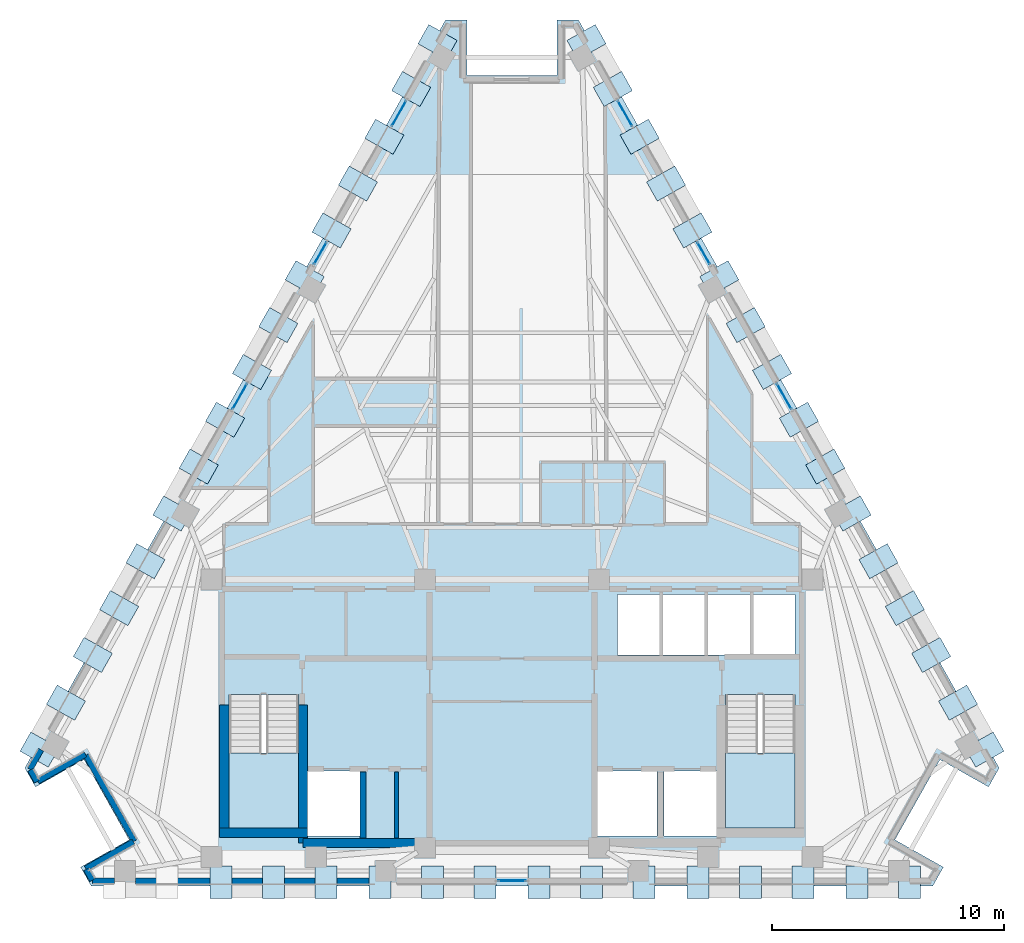
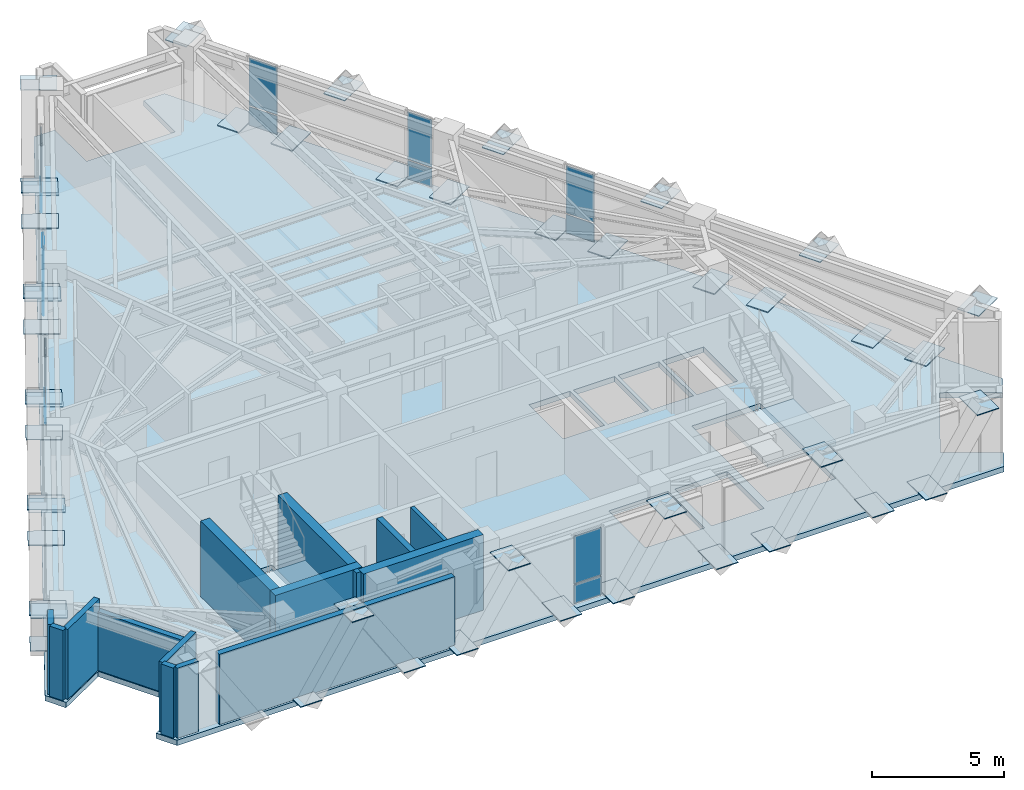
# One storey, part 6 of 12: 60 plates, 14 walls, 3 slabs, 9 elements without a shape of their own.
"""IFC4 building model written with IfcOpenShell, lengths in metres."""

from ifc_helpers import new_model, si_unit, direction, frame, frame_2d, origin, origin_2d, place, context, subcontext, project, spatial, polyline, rectangle, outline, extrude, material, layer, layer_set, type_object, element, aggregate, save


model = new_model("IFC4")

# Units and contexts
model_context = context("Model", 3, precision=1e-05, world=origin(), true_north=direction((0.0, 1.0)))
body_context = subcontext(model_context, "Body", "Model", "MODEL_VIEW")
ifc_project = project(units=[si_unit("LENGTHUNIT", "METRE"), si_unit("AREAUNIT", "SQUARE_METRE"), si_unit("VOLUMEUNIT", "CUBIC_METRE"), si_unit("PLANEANGLEUNIT", "RADIAN"), si_unit("MASSUNIT", "GRAM", prefix="KILO")], contexts=[model_context])

# Site, building, storey
site_placement = place(None, origin())
site = spatial("IfcSite", under=ifc_project, at=site_placement, CompositionType="ELEMENT")
building_placement = place(site_placement, origin())
building = spatial("IfcBuilding", under=site, at=building_placement, Name="Quenlor Broadcast Tower", CompositionType="ELEMENT")
storey_placement = place(building_placement, frame((0.0, 0.0, 218.39990234375)))
storey = spatial("IfcBuildingStorey", under=building, at=storey_placement, Name="L60", CompositionType="ELEMENT", Elevation=218.39990234375)

# Curtain wall, plates
ifc_material_1 = material(Name="Architectural Terracotta and Low-E Glazing", Category="masonry")
curtain_wall_type = type_object("IfcCurtainWallType", Name="Unitised Terracotta Curtain Wall System Z4", PredefinedType="NOTDEFINED", material=ifc_material_1)
curtain_wall_1_placement = place(storey_placement, origin())
curtain_wall_1 = element("IfcCurtainWall", 1, at=curtain_wall_1_placement, inside=storey, type_object=curtain_wall_type, Name="L60 Curtain Wall CW4 (L60-S-G1)", PredefinedType="NOTDEFINED")
ifc_material_2 = material(Name="Double Glazed Low-E Solar Glass", Category="glass")
ifc_layer_1 = layer(ifc_material_2, 0.028076171875)
ifc_layer_set_1 = layer_set([ifc_layer_1], Name="CW4 Double Glazed Vision Panel 28")
plate_type_1 = type_object("IfcPlateType", Name="CW4 Double Glazed Vision Panel 28", PredefinedType="CURTAIN_PANEL", material=ifc_layer_set_1)
plate_1_placement = place(storey_placement, frame((0.0, -17.77490234375, 0.068359375), z_axis=(0.0, 0.0, 1.0), x_axis=(-1.0, 0.0, 0.0)))
plate_1 = element("IfcPlate", 2, at=plate_1_placement, type_object=plate_type_1, Name="CW4 panel 1.1", PredefinedType="CURTAIN_PANEL", context=body_context, shape_type="SweptSolid", body=[
    extrude(rectangle(XDim=1.188720703125, YDim=0.028076171875, at=origin_2d()), origin(), (0.0, 0.0, 1.0), 0.847900390625),
])
plate_2_placement = place(storey_placement, frame((0.0, -17.77490234375, 0.98388671875), z_axis=(0.0, 0.0, 1.0), x_axis=(-1.0, 0.0, 0.0)))
plate_2 = element("IfcPlate", 3, at=plate_2_placement, type_object=plate_type_1, Name="CW4 panel 1.2", PredefinedType="CURTAIN_PANEL", context=body_context, shape_type="SweptSolid", body=[
    extrude(rectangle(XDim=1.188720703125, YDim=0.028076171875, at=origin_2d()), origin(), (0.0, 0.0, 1.0), 2.197998046875),
])
aggregate(curtain_wall_1, [plate_1, plate_2])

curtain_wall_2_placement = place(storey_placement, origin())
curtain_wall_2 = element("IfcCurtainWall", 4, at=curtain_wall_2_placement, inside=storey, type_object=curtain_wall_type, Name="L60 Curtain Wall CW4 (L60-NEA-G1)", PredefinedType="NOTDEFINED")
plate_3_placement = place(storey_placement, frame((4.87060546875, 15.281982421875, 0.068359375), z_axis=(0.0, 0.0, 1.0), x_axis=(0.490288844266, -0.871560008943, 0.0)))
plate_3 = element("IfcPlate", 5, at=plate_3_placement, type_object=plate_type_1, Name="CW4 panel 1.1", PredefinedType="CURTAIN_PANEL", context=body_context, shape_type="SweptSolid", body=[
    extrude(rectangle(XDim=1.239990234375, YDim=0.028076171875, at=origin_2d()), origin(), (0.0, 0.0, 1.0), 0.847900390625),
])
plate_4_placement = place(storey_placement, frame((4.87060546875, 15.281982421875, 0.98388671875), z_axis=(0.0, 0.0, 1.0), x_axis=(0.490288844266, -0.871560008943, 0.0)))
plate_4 = element("IfcPlate", 6, at=plate_4_placement, type_object=plate_type_1, Name="CW4 panel 1.2", PredefinedType="CURTAIN_PANEL", context=body_context, shape_type="SweptSolid", body=[
    extrude(rectangle(XDim=1.239990234375, YDim=0.028076171875, at=origin_2d()), origin(), (0.0, 0.0, 1.0), 2.197998046875),
])
aggregate(curtain_wall_2, [plate_3, plate_4])

curtain_wall_3_placement = place(storey_placement, origin())
curtain_wall_3 = element("IfcCurtainWall", 7, at=curtain_wall_3_placement, inside=storey, type_object=curtain_wall_type, Name="L60 Curtain Wall CW4 (L60-NEA-G2)", PredefinedType="NOTDEFINED")
plate_5_placement = place(storey_placement, frame((8.257080078125, 9.26171875, 0.068359375), z_axis=(0.0, 0.0, 1.0), x_axis=(0.490292850918, -0.871557755022, 0.0)))
plate_5 = element("IfcPlate", 8, at=plate_5_placement, type_object=plate_type_1, Name="CW4 panel 1.1", PredefinedType="CURTAIN_PANEL", context=body_context, shape_type="SweptSolid", body=[
    extrude(rectangle(XDim=1.0654296875, YDim=0.028076171875, at=origin_2d()), origin(), (0.0, 0.0, 1.0), 0.847900390625),
])
plate_6_placement = place(storey_placement, frame((8.257080078125, 9.26171875, 0.98388671875), z_axis=(0.0, 0.0, 1.0), x_axis=(0.490292850918, -0.871557755022, 0.0)))
plate_6 = element("IfcPlate", 9, at=plate_6_placement, type_object=plate_type_1, Name="CW4 panel 1.2", PredefinedType="CURTAIN_PANEL", context=body_context, shape_type="SweptSolid", body=[
    extrude(rectangle(XDim=1.0654296875, YDim=0.028076171875, at=origin_2d()), origin(), (0.0, 0.0, 1.0), 2.197998046875),
])
aggregate(curtain_wall_3, [plate_5, plate_6])

curtain_wall_4_placement = place(storey_placement, origin())
curtain_wall_4 = element("IfcCurtainWall", 10, at=curtain_wall_4_placement, inside=storey, type_object=curtain_wall_type, Name="L60 Curtain Wall CW4 (L60-NE-G1)", PredefinedType="NOTDEFINED")
plate_7_placement = place(storey_placement, frame((11.72900390625, 3.089599609375, 0.068359375), z_axis=(0.0, 0.0, 1.0), x_axis=(0.490288844266, -0.871560008943, 0.0)))
plate_7 = element("IfcPlate", 11, at=plate_7_placement, type_object=plate_type_1, Name="CW4 panel 1.1", PredefinedType="CURTAIN_PANEL", context=body_context, shape_type="SweptSolid", body=[
    extrude(rectangle(XDim=1.239990234375, YDim=0.028076171875, at=origin_2d()), origin(), (0.0, 0.0, 1.0), 0.847900390625),
])
plate_8_placement = place(storey_placement, frame((11.72900390625, 3.089599609375, 0.98388671875), z_axis=(0.0, 0.0, 1.0), x_axis=(0.490288844266, -0.871560008943, 0.0)))
plate_8 = element("IfcPlate", 12, at=plate_8_placement, type_object=plate_type_1, Name="CW4 panel 1.2", PredefinedType="CURTAIN_PANEL", context=body_context, shape_type="SweptSolid", body=[
    extrude(rectangle(XDim=1.239990234375, YDim=0.028076171875, at=origin_2d()), origin(), (0.0, 0.0, 1.0), 2.197998046875),
])
aggregate(curtain_wall_4, [plate_7, plate_8])

curtain_wall_5_placement = place(storey_placement, origin())
curtain_wall_5 = element("IfcCurtainWall", 13, at=curtain_wall_5_placement, inside=storey, type_object=curtain_wall_type, Name="L60 Curtain Wall CW4 (L60-NWC-G1)", PredefinedType="NOTDEFINED")
plate_9_placement = place(storey_placement, frame((-8.257080078125, 9.26171875, 0.068359375), z_axis=(0.0, 0.0, 1.0), x_axis=(0.490292850918, 0.871557755022, 0.0)))
plate_9 = element("IfcPlate", 14, at=plate_9_placement, type_object=plate_type_1, Name="CW4 panel 1.1", PredefinedType="CURTAIN_PANEL", context=body_context, shape_type="SweptSolid", body=[
    extrude(rectangle(XDim=1.0654296875, YDim=0.028076171875, at=origin_2d()), origin(), (0.0, 0.0, 1.0), 0.847900390625),
])
plate_10_placement = place(storey_placement, frame((-8.257080078125, 9.26171875, 0.98388671875), z_axis=(0.0, 0.0, 1.0), x_axis=(0.490292850918, 0.871557755022, 0.0)))
plate_10 = element("IfcPlate", 15, at=plate_10_placement, type_object=plate_type_1, Name="CW4 panel 1.2", PredefinedType="CURTAIN_PANEL", context=body_context, shape_type="SweptSolid", body=[
    extrude(rectangle(XDim=1.0654296875, YDim=0.028076171875, at=origin_2d()), origin(), (0.0, 0.0, 1.0), 2.197998046875),
])
aggregate(curtain_wall_5, [plate_9, plate_10])

curtain_wall_6_placement = place(storey_placement, origin())
curtain_wall_6 = element("IfcCurtainWall", 16, at=curtain_wall_6_placement, inside=storey, type_object=curtain_wall_type, Name="L60 Curtain Wall CW4 (L60-NWC-G2)", PredefinedType="NOTDEFINED")
plate_11_placement = place(storey_placement, frame((-4.87060546875, 15.281982421875, 0.068359375), z_axis=(0.0, 0.0, 1.0), x_axis=(0.490288844266, 0.871560008943, 0.0)))
plate_11 = element("IfcPlate", 17, at=plate_11_placement, type_object=plate_type_1, Name="CW4 panel 1.1", PredefinedType="CURTAIN_PANEL", context=body_context, shape_type="SweptSolid", body=[
    extrude(rectangle(XDim=1.239990234375, YDim=0.028076171875, at=origin_2d()), origin(), (0.0, 0.0, 1.0), 0.847900390625),
])
plate_12_placement = place(storey_placement, frame((-4.87060546875, 15.281982421875, 0.98388671875), z_axis=(0.0, 0.0, 1.0), x_axis=(0.490288844266, 0.871560008943, 0.0)))
plate_12 = element("IfcPlate", 18, at=plate_12_placement, type_object=plate_type_1, Name="CW4 panel 1.2", PredefinedType="CURTAIN_PANEL", context=body_context, shape_type="SweptSolid", body=[
    extrude(rectangle(XDim=1.239990234375, YDim=0.028076171875, at=origin_2d()), origin(), (0.0, 0.0, 1.0), 2.197998046875),
])
aggregate(curtain_wall_6, [plate_11, plate_12])

curtain_wall_7_placement = place(storey_placement, origin())
curtain_wall_7 = element("IfcCurtainWall", 19, at=curtain_wall_7_placement, inside=storey, type_object=curtain_wall_type, Name="L60 Curtain Wall CW4 (L60-NW-G1)", PredefinedType="NOTDEFINED")
plate_13_placement = place(storey_placement, frame((-11.72900390625, 3.089599609375, 0.068359375), z_axis=(0.0, 0.0, 1.0), x_axis=(0.490288844266, 0.871560008943, 0.0)))
plate_13 = element("IfcPlate", 20, at=plate_13_placement, type_object=plate_type_1, Name="CW4 panel 1.1", PredefinedType="CURTAIN_PANEL", context=body_context, shape_type="SweptSolid", body=[
    extrude(rectangle(XDim=1.239990234375, YDim=0.028076171875, at=origin_2d()), origin(), (0.0, 0.0, 1.0), 0.847900390625),
])
plate_14_placement = place(storey_placement, frame((-11.72900390625, 3.089599609375, 0.98388671875), z_axis=(0.0, 0.0, 1.0), x_axis=(0.490288844266, 0.871560008943, 0.0)))
plate_14 = element("IfcPlate", 21, at=plate_14_placement, type_object=plate_type_1, Name="CW4 panel 1.2", PredefinedType="CURTAIN_PANEL", context=body_context, shape_type="SweptSolid", body=[
    extrude(rectangle(XDim=1.239990234375, YDim=0.028076171875, at=origin_2d()), origin(), (0.0, 0.0, 1.0), 2.197998046875),
])
aggregate(curtain_wall_7, [plate_13, plate_14])

# Stair, slab
ifc_material_3 = material(Name="Precast concrete C40/50", Category="concrete")
stair_type = type_object("IfcStairType", Name="Precast Concrete C40/50 Dogleg Stair H350", PredefinedType="HALF_TURN_STAIR", material=ifc_material_3)
stair_1_placement = place(storey_placement, origin())
stair_1 = element("IfcStair", 22, at=stair_1_placement, inside=storey, type_object=stair_type, Name="L60 West Core Fire-Isolated Exit Stair ST-1", PredefinedType="HALF_TURN_STAIR")
ifc_material_4 = material(Name="Precast concrete C40/50", Category="concrete")
ifc_layer_2 = layer(ifc_material_4, 0.199951171875)
ifc_layer_set_2 = layer_set([ifc_layer_2], Name="Precast Concrete C40/50 Stair Landing Slab 200")
slab_type_1 = type_object("IfcSlabType", Name="Precast Concrete C40/50 Stair Landing Slab 200", PredefinedType="LANDING", material=ifc_layer_set_2)
slab_1_placement = place(storey_placement, frame((0.0, 0.0, 1.550048828125)))
slab_1 = element("IfcSlab", 23, at=slab_1_placement, type_object=slab_type_1, Name="ST-1 landing 1", PredefinedType="LANDING", context=body_context, shape_type="SweptSolid", body=[
    extrude(outline(polyline([(-12.199951171875, -12.27001953125), (-12.199951171875, -15.5), (-9.199951171875, -15.5), (-9.199951171875, -12.27001953125), (-12.199951171875, -12.27001953125)])), origin(), (0.0, 0.0, 1.0), 0.199951171875),
])
aggregate(stair_1, [slab_1])

stair_2_placement = place(storey_placement, origin())
stair_2 = element("IfcStair", 24, at=stair_2_placement, inside=storey, type_object=stair_type, Name="L60 East Core Fire-Isolated Exit Stair ST-2", PredefinedType="HALF_TURN_STAIR")
slab_2_placement = place(storey_placement, frame((0.0, 0.0, 1.550048828125)))
slab_2 = element("IfcSlab", 25, at=slab_2_placement, type_object=slab_type_1, Name="ST-2 landing 1", PredefinedType="LANDING", context=body_context, shape_type="SweptSolid", body=[
    extrude(outline(polyline([(9.199951171875, -12.27001953125), (9.199951171875, -15.5), (12.199951171875, -15.5), (12.199951171875, -12.27001953125), (9.199951171875, -12.27001953125)])), origin(), (0.0, 0.0, 1.0), 0.199951171875),
])
aggregate(stair_2, [slab_2])

# Slab
ifc_material_5 = material(Name="Concrete C40/50", Category="concrete")
ifc_layer_3 = layer(ifc_material_5, 0.25)
ifc_layer_set_3 = layer_set([ifc_layer_3], Name="Tower Composite Concrete C40/50 Slab 250")
slab_type_2 = type_object("IfcSlabType", Name="Tower Composite Concrete C40/50 Slab 250", PredefinedType="FLOOR", material=ifc_layer_set_3)
slab_3_placement = place(storey_placement, frame((0.0, 0.0, -0.25)))
element("IfcSlab", 26, at=slab_3_placement, inside=storey, type_object=slab_type_2, Name="L60 Structural Floor Slab", PredefinedType="FLOOR", context=body_context, shape_type="SweptSolid", body=[
    extrude(outline(polyline([(18.1259765625, -18.0), (18.583984375, -17.185791015625), (16.4921875, -16.00927734375), (18.438232421875, -12.549560546875), (20.530029296875, -13.72607421875), (20.988037109375, -12.912109375), (2.862060546875, 19.31201171875), (1.9462890625, 19.31201171875), (1.9462890625, 16.912109375), (-1.9462890625, 16.912109375), (-1.9462890625, 19.31201171875), (-2.862060546875, 19.31201171875), (-20.988037109375, -12.912109375), (-20.530029296875, -13.72607421875), (-18.438232421875, -12.549560546875), (-16.4921875, -16.00927734375), (-18.583984375, -17.185791015625), (-18.1259765625, -18.0), (18.1259765625, -18.0)]), holes=[polyline([(-12.199951171875, -9.758056640625), (-12.199951171875, -15.5), (-9.199951171875, -15.5), (-9.199951171875, -9.758056640625), (-12.199951171875, -9.758056640625)]), polyline([(9.199951171875, -9.758056640625), (9.199951171875, -15.5), (12.199951171875, -15.5), (12.199951171875, -9.758056640625), (9.199951171875, -9.758056640625)]), polyline([(4.550048828125, -8.050048828125), (6.35009765625, -8.050048828125), (6.35009765625, -5.449951171875), (4.550048828125, -5.449951171875), (4.550048828125, -8.050048828125)]), polyline([(6.5, -8.050048828125), (8.300048828125, -8.050048828125), (8.300048828125, -5.449951171875), (6.5, -5.449951171875), (6.5, -8.050048828125)]), polyline([(8.449951171875, -8.050048828125), (10.25, -8.050048828125), (10.25, -5.449951171875), (8.449951171875, -5.449951171875), (8.449951171875, -8.050048828125)]), polyline([(10.39990234375, -8.050048828125), (12.199951171875, -8.050048828125), (12.199951171875, -5.449951171875), (10.39990234375, -5.449951171875), (10.39990234375, -8.050048828125)]), polyline([(-8.85009765625, -15.85009765625), (-6.550048828125, -15.85009765625), (-6.550048828125, -13.050048828125), (-8.85009765625, -13.050048828125), (-8.85009765625, -15.85009765625)]), polyline([(6.550048828125, -15.85009765625), (8.85009765625, -15.85009765625), (8.85009765625, -13.050048828125), (6.550048828125, -13.050048828125), (6.550048828125, -15.85009765625)]), polyline([(3.64990234375, -15.85009765625), (6.25, -15.85009765625), (6.25, -13.050048828125), (3.64990234375, -13.050048828125), (3.64990234375, -15.85009765625)])]), origin(), (0.0, 0.0, 1.0), 0.25),
])

# Plates
ifc_material_6 = material(Name="Steel S355", Category="steel")
ifc_layer_4 = layer(ifc_material_6, 0.035888671875)
ifc_layer_set_4 = layer_set([ifc_layer_4], Name="Transfer Truss Steel S355 Gusset Node Plate 1400x950x36")
plate_type_2 = type_object("IfcPlateType", Name="Transfer Truss Steel S355 Gusset Node Plate 1400x950x36", PredefinedType="SHEET", material=ifc_layer_set_4)
for number, where, z_axis, x_axis, name in (
    (27, (12.54541015625, -17.8349609375, 0.0419921875), (0.0, 0.0, 1.0), (0.0, -1.0, 0.0), "L60 Lattice Tie Gusset Node S-B2"),
    (28, (10.275634765625, -17.8349609375, 3.18212890625), (0.0, 0.0, 1.0), (0.0, -1.0, 0.0), "L60 Lattice Tie Gusset Node S-T3"),
    (29, (14.856201171875, -17.8349609375, 0.0419921875), (0.0, 0.0, 1.0), (0.0, -1.0, 0.0), "L60 Lattice Tie Gusset Node S-B1"),
    (30, (17.1259765625, -17.8349609375, 3.18212890625), (0.0, 0.0, 1.0), (0.0, -1.0, 0.0), "L60 Lattice Tie Gusset Node S-T0"),
    (31, (5.695068359375, -17.8349609375, 0.0419921875), (0.0, 0.0, 1.0), (0.0, -1.0, 0.0), "L60 Lattice Tie Gusset Node S-B5"),
    (32, (3.42529296875, -17.8349609375, 3.18212890625), (0.0, 0.0, 1.0), (0.0, -1.0, 0.0), "L60 Lattice Tie Gusset Node S-T6"),
    (33, (8.005859375, -17.8349609375, 0.0419921875), (0.0, 0.0, 1.0), (0.0, -1.0, 0.0), "L60 Lattice Tie Gusset Node S-B4"),
    (34, (-1.155517578125, -17.8349609375, 0.0419921875), (0.0, 0.0, 1.0), (0.0, -1.0, 0.0), "L60 Lattice Tie Gusset Node S-B8"),
    (35, (-3.42529296875, -17.8349609375, 3.18212890625), (0.0, 0.0, 1.0), (0.0, -1.0, 0.0), "L60 Lattice Tie Gusset Node S-T9"),
    (36, (1.155517578125, -17.8349609375, 0.0419921875), (0.0, 0.0, 1.0), (0.0, -1.0, 0.0), "L60 Lattice Tie Gusset Node S-B7"),
    (37, (-8.005859375, -17.8349609375, 0.0419921875), (0.0, 0.0, 1.0), (0.0, -1.0, 0.0), "L60 Lattice Tie Gusset Node S-B11"),
    (38, (-10.275634765625, -17.8349609375, 3.18212890625), (0.0, 0.0, 1.0), (0.0, -1.0, 0.0), "L60 Lattice Tie Gusset Node S-T12"),
    (39, (-5.695068359375, -17.8349609375, 0.0419921875), (0.0, 0.0, 1.0), (0.0, -1.0, 0.0), "L60 Lattice Tie Gusset Node S-B10"),
    (40, (-12.54541015625, -17.8349609375, 0.0419921875), (0.0, 0.0, 1.0), (0.0, -1.0, 0.0), "L60 Lattice Tie Gusset Node S-B13"),
    (41, (5.50146484375, 14.283203125, 0.0419921875), (0.0, 0.0, 1.0), (0.871556314255, 0.490295412055, 0.0), "L60 Lattice Tie Gusset Node NE-B2"),
    (42, (6.6376953125, 12.263427734375, 3.18212890625), (0.0, 0.0, 1.0), (0.871556314255, 0.490295412055, 0.0), "L60 Lattice Tie Gusset Node NE-T3"),
    (43, (4.344482421875, 16.339599609375, 0.0419921875), (0.0, 0.0, 1.0), (0.871556314255, 0.490295412055, 0.0), "L60 Lattice Tie Gusset Node NE-B1"),
    (44, (3.20849609375, 18.359619140625, 3.18212890625), (0.0, 0.0, 1.0), (0.871556314255, 0.490295412055, 0.0), "L60 Lattice Tie Gusset Node NE-T0"),
    (45, (8.930419921875, 8.18701171875, 0.0419921875), (0.0, 0.0, 1.0), (0.871556314255, 0.490295412055, 0.0), "L60 Lattice Tie Gusset Node NE-B5"),
    (46, (10.066650390625, 6.167236328125, 3.18212890625), (0.0, 0.0, 1.0), (0.871556314255, 0.490295412055, 0.0), "L60 Lattice Tie Gusset Node NE-T6"),
    (47, (7.773681640625, 10.243408203125, 0.0419921875), (0.0, 0.0, 1.0), (0.871556314255, 0.490295412055, 0.0), "L60 Lattice Tie Gusset Node NE-B4"),
    (48, (12.359619140625, 2.0908203125, 0.0419921875), (0.0, 0.0, 1.0), (0.871556314255, 0.490295412055, 0.0), "L60 Lattice Tie Gusset Node NE-B8"),
    (49, (13.49560546875, 0.071044921875, 3.18212890625), (0.0, 0.0, 1.0), (0.871556314255, 0.490295412055, 0.0), "L60 Lattice Tie Gusset Node NE-T9"),
    (50, (11.202880859375, 4.147216796875, 0.0419921875), (0.0, 0.0, 1.0), (0.871556314255, 0.490295412055, 0.0), "L60 Lattice Tie Gusset Node NE-B7"),
    (51, (15.788818359375, -4.00537109375, 0.0419921875), (0.0, 0.0, 1.0), (0.871556314255, 0.490295412055, 0.0), "L60 Lattice Tie Gusset Node NE-B11"),
    (52, (16.9248046875, -6.025146484375, 3.18212890625), (0.0, 0.0, 1.0), (0.871556314255, 0.490295412055, 0.0), "L60 Lattice Tie Gusset Node NE-T12"),
    (53, (14.6318359375, -1.94873046875, 0.0419921875), (0.0, 0.0, 1.0), (0.871556314255, 0.490295412055, 0.0), "L60 Lattice Tie Gusset Node NE-B10"),
    (54, (19.2177734375, -10.101318359375, 0.0419921875), (0.0, 0.0, 1.0), (0.871556314255, 0.490295412055, 0.0), "L60 Lattice Tie Gusset Node NE-B14"),
    (55, (20.35400390625, -12.121337890625, 3.18212890625), (0.0, 0.0, 1.0), (0.871556314255, 0.490295412055, 0.0), "L60 Lattice Tie Gusset Node NE-T15"),
    (56, (18.06103515625, -8.044921875, 0.0419921875), (0.0, 0.0, 1.0), (0.871556314255, 0.490295412055, 0.0), "L60 Lattice Tie Gusset Node NE-B13"),
    (57, (-18.06103515625, -8.044921875, 0.0419921875), (0.0, 0.0, 1.0), (-0.871556314255, 0.490295412055, 0.0), "L60 Lattice Tie Gusset Node NW-B2"),
    (58, (-16.9248046875, -6.025146484375, 3.18212890625), (0.0, 0.0, 1.0), (-0.871556314255, 0.490295412055, 0.0), "L60 Lattice Tie Gusset Node NW-T3"),
    (59, (-19.2177734375, -10.101318359375, 0.0419921875), (0.0, 0.0, 1.0), (-0.871556314255, 0.490295412055, 0.0), "L60 Lattice Tie Gusset Node NW-B1"),
    (60, (-20.35400390625, -12.121337890625, 3.18212890625), (0.0, 0.0, 1.0), (-0.871556314255, 0.490295412055, 0.0), "L60 Lattice Tie Gusset Node NW-T0"),
    (61, (-14.6318359375, -1.94873046875, 0.0419921875), (0.0, 0.0, 1.0), (-0.871556314255, 0.490295412055, 0.0), "L60 Lattice Tie Gusset Node NW-B5"),
    (62, (-13.49560546875, 0.071044921875, 3.18212890625), (0.0, 0.0, 1.0), (-0.871556314255, 0.490295412055, 0.0), "L60 Lattice Tie Gusset Node NW-T6"),
    (63, (-15.788818359375, -4.00537109375, 0.0419921875), (0.0, 0.0, 1.0), (-0.871556314255, 0.490295412055, 0.0), "L60 Lattice Tie Gusset Node NW-B4"),
    (64, (-11.202880859375, 4.147216796875, 0.0419921875), (0.0, 0.0, 1.0), (-0.871556314255, 0.490295412055, 0.0), "L60 Lattice Tie Gusset Node NW-B8"),
    (65, (-10.066650390625, 6.167236328125, 3.18212890625), (0.0, 0.0, 1.0), (-0.871556314255, 0.490295412055, 0.0), "L60 Lattice Tie Gusset Node NW-T9"),
    (66, (-12.359619140625, 2.0908203125, 0.0419921875), (0.0, 0.0, 1.0), (-0.871556314255, 0.490295412055, 0.0), "L60 Lattice Tie Gusset Node NW-B7"),
    (67, (-7.773681640625, 10.243408203125, 0.0419921875), (0.0, 0.0, 1.0), (-0.871556314255, 0.490295412055, 0.0), "L60 Lattice Tie Gusset Node NW-B11"),
    (68, (-6.6376953125, 12.263427734375, 3.18212890625), (0.0, 0.0, 1.0), (-0.871556314255, 0.490295412055, 0.0), "L60 Lattice Tie Gusset Node NW-T12"),
    (69, (-8.930419921875, 8.18701171875, 0.0419921875), (0.0, 0.0, 1.0), (-0.871556314255, 0.490295412055, 0.0), "L60 Lattice Tie Gusset Node NW-B10"),
    (70, (-4.344482421875, 16.339599609375, 0.0419921875), (0.0, 0.0, 1.0), (-0.871556314255, 0.490295412055, 0.0), "L60 Lattice Tie Gusset Node NW-B14"),
    (71, (-3.20849609375, 18.359619140625, 3.18212890625), (0.0, 0.0, 1.0), (-0.871556314255, 0.490295412055, 0.0), "L60 Lattice Tie Gusset Node NW-T15"),
    (72, (-5.50146484375, 14.283203125, 0.0419921875), (0.0, 0.0, 1.0), (-0.871556314255, 0.490295412055, 0.0), "L60 Lattice Tie Gusset Node NW-B13"),
):
    element("IfcPlate", number, at=place(storey_placement, frame(where, z_axis=z_axis, x_axis=x_axis)), inside=storey, type_object=plate_type_2, Name=name, PredefinedType="SHEET", context=body_context, shape_type="SweptSolid", body=[
        extrude(rectangle(XDim=1.39990234375, YDim=0.949951171875, at=origin_2d()), origin(), (0.0, 0.0, 1.0), 0.035888671875),
    ])

# Walls
ifc_material_7 = material(Name="Concrete C50/60", Category="concrete")
ifc_layer_5 = layer(ifc_material_7, 0.39990234375)
ifc_layer_set_5 = layer_set([ifc_layer_5], Name="Core Concrete C50/60 Shear Wall 400")
wall_type_1 = type_object("IfcWallType", Name="Core Concrete C50/60 Shear Wall 400", PredefinedType="SHEAR", material=ifc_layer_set_5)
wall_1_placement = place(storey_placement, frame((-12.60009765625, -15.699951171875, 0.0), z_axis=(0.0, 0.0, 1.0), x_axis=(1.0, 0.0, 0.0)))
element("IfcWall", 73, at=wall_1_placement, inside=storey, type_object=wall_type_1, Name="L60 Core Shear Wall WS-W1", PredefinedType="SHEAR", context=body_context, shape_type="SweptSolid", body=[
    extrude(rectangle(XDim=3.800048828125, YDim=0.39990234375, at=frame_2d((1.89990234375, 0.0))), origin(), (0.0, 0.0, 1.0), 3.5),
])
wall_2_placement = place(storey_placement, frame((-9.0, -16.14990234375, 0.0), z_axis=(0.0, 0.0, 1.0), x_axis=(1.0, 0.0, 0.0)))
element("IfcWall", 74, at=wall_2_placement, inside=storey, type_object=wall_type_1, Name="L60 Core Shear Wall WS-W2", PredefinedType="SHEAR", context=body_context, shape_type="SweptSolid", body=[
    extrude(rectangle(XDim=5.25, YDim=0.39990234375, at=frame_2d((2.625, 0.0))), origin(), (0.0, 0.0, 1.0), 3.5),
])
wall_3_placement = place(storey_placement, frame((-12.39990234375, -15.699951171875, 0.0), z_axis=(0.0, 0.0, 1.0), x_axis=(0.0, 1.0, 0.0)))
element("IfcWall", 75, at=wall_3_placement, inside=storey, type_object=wall_type_1, Name="L60 Core Shear Wall WF-W", PredefinedType="SHEAR", context=body_context, shape_type="SweptSolid", body=[
    extrude(rectangle(XDim=5.5, YDim=0.39990234375, at=frame_2d((2.75, 0.0))), origin(), (0.0, 0.0, 1.0), 3.5),
])
wall_4_placement = place(storey_placement, frame((-9.0, -16.14990234375, 0.0), z_axis=(0.0, 0.0, 1.0), x_axis=(0.0, 1.0, 0.0)))
element("IfcWall", 76, at=wall_4_placement, inside=storey, type_object=wall_type_1, Name="L60 Core Shear Wall WI-W", PredefinedType="SHEAR", context=body_context, shape_type="SweptSolid", body=[
    extrude(rectangle(XDim=5.949951171875, YDim=0.39990234375, at=frame_2d((2.97509765625, 0.0))), origin(), (0.0, 0.0, 1.0), 3.5),
])
ifc_material_8 = material(Name="Concrete C40/50", Category="concrete")
ifc_layer_6 = layer(ifc_material_8, 0.25)
ifc_layer_set_6 = layer_set([ifc_layer_6], Name="Fire Rated Concrete C40/50 Core Wall 250")
wall_type_2 = type_object("IfcWallType", Name="Fire Rated Concrete C40/50 Core Wall 250", PredefinedType="PARTITIONING", material=ifc_layer_set_6)
wall_5_placement = place(storey_placement, frame((-6.419921875, -15.919921875, 0.0), z_axis=(0.0, 0.0, 1.0), x_axis=(0.0, 1.0, 0.0)))
element("IfcWall", 77, at=wall_5_placement, inside=storey, type_object=wall_type_2, Name="L60 Interior Wall CW-FF1-E", PredefinedType="PARTITIONING", context=body_context, shape_type="SweptSolid", body=[
    extrude(rectangle(XDim=2.829833984375, YDim=0.25, at=frame_2d((1.4150390625, 0.0))), origin(), (0.0, 0.0, 1.0), 3.25),
])
ifc_material_9 = material(Name="Gypsum Fireboard Partition", Category="other")
ifc_layer_7 = layer(ifc_material_9, 0.159912109375)
ifc_layer_set_7 = layer_set([ifc_layer_7], Name="Fire Rated Shaft and Corridor Partition 160")
wall_type_3 = type_object("IfcWallType", Name="Fire Rated Shaft and Corridor Partition 160", PredefinedType="PARTITIONING", material=ifc_layer_set_7)
wall_6_placement = place(storey_placement, frame((-4.97998046875, -15.919921875, 0.0), z_axis=(0.0, 0.0, 1.0), x_axis=(0.0, 1.0, 0.0)))
element("IfcWall", 78, at=wall_6_placement, inside=storey, type_object=wall_type_3, Name="L60 Interior Wall CW-ELR-E", PredefinedType="PARTITIONING", context=body_context, shape_type="SweptSolid", body=[
    extrude(rectangle(XDim=2.829833984375, YDim=0.159912109375, at=frame_2d((1.4150390625, 0.0))), origin(), (0.0, 0.0, 1.0), 3.25),
])
ifc_material_10 = material(Name="Precast concrete C40/50", Category="concrete")
ifc_layer_8 = layer(ifc_material_10, 0.239990234375)
ifc_layer_set_8 = layer_set([ifc_layer_8], Name="Terrace Threshold Precast Concrete C40/50 Wall 240")
wall_type_4 = type_object("IfcWallType", Name="Terrace Threshold Precast Concrete C40/50 Wall 240", PredefinedType="STANDARD", material=ifc_layer_set_8)
wall_7_placement = place(storey_placement, frame((-17.130859375, -17.77490234375, 0.0), z_axis=(0.0, 0.0, 1.0), x_axis=(-1.0, 0.0, 0.0)))
element("IfcWall", 79, at=wall_7_placement, inside=storey, type_object=wall_type_4, Name="L60 Exterior Wall L60-SHD-SS1", PredefinedType="STANDARD", context=body_context, shape_type="SweptSolid", body=[
    extrude(rectangle(XDim=0.93505859375, YDim=0.239990234375, at=frame_2d((0.467529296875, 0.0))), origin(), (0.0, 0.0, 1.0), 3.25),
])
wall_8_placement = place(storey_placement, frame((-20.762451171875, -12.969970703125, 0.0), z_axis=(0.0, 0.0, 1.0), x_axis=(0.490345412687, 0.87152818443, 0.0)))
element("IfcWall", 80, at=wall_8_placement, inside=storey, type_object=wall_type_4, Name="L60 Exterior Wall L60-SHD-NWS0", PredefinedType="STANDARD", context=body_context, shape_type="SweptSolid", body=[
    extrude(rectangle(XDim=0.9638671875, YDim=0.239990234375, at=frame_2d((0.48193359375, 0.0))), origin(), (0.0, 0.0, 1.0), 3.25),
])
wall_9_placement = place(storey_placement, frame((-20.75537109375, -12.999267578125, 0.0), z_axis=(0.0, 0.0, 1.0), x_axis=(0.490320776404, -0.871542045014, 0.0)))
element("IfcWall", 81, at=wall_9_placement, inside=storey, type_object=wall_type_4, Name="L60 Exterior Wall L60-CNR-12", PredefinedType="STANDARD", context=body_context, shape_type="SweptSolid", body=[
    extrude(rectangle(XDim=0.583984375, YDim=0.239990234375, at=frame_2d((0.2919921875, 0.0))), origin(), (0.0, 0.0, 1.0), 3.25),
])
wall_10_placement = place(storey_placement, frame((-20.43408203125, -13.488525390625, 0.0), z_axis=(0.0, 0.0, 1.0), x_axis=(0.871578299909, 0.490256327984, 0.0)))
element("IfcWall", 82, at=wall_10_placement, inside=storey, type_object=wall_type_4, Name="L60 Exterior Wall L60-CNR-13", PredefinedType="STANDARD", context=body_context, shape_type="SweptSolid", body=[
    extrude(rectangle(XDim=2.35986328125, YDim=0.239990234375, at=frame_2d((1.179931640625, 0.0))), origin(), (0.0, 0.0, 1.0), 3.25),
])
wall_11_placement = place(storey_placement, frame((-18.357666015625, -12.366455078125, 0.0), z_axis=(0.0, 0.0, 1.0), x_axis=(0.49027487746, -0.871567865706, 0.0)))
element("IfcWall", 83, at=wall_11_placement, inside=storey, type_object=wall_type_4, Name="L60 Exterior Wall L60-CNR-14", PredefinedType="STANDARD", context=body_context, shape_type="SweptSolid", body=[
    extrude(rectangle(XDim=4.249755859375, YDim=0.239990234375, at=frame_2d((2.125, 0.0))), origin(), (0.0, 0.0, 1.0), 2.721923828125),
])
wall_12_placement = place(storey_placement, frame((-16.30908203125, -16.08984375, 0.0), z_axis=(0.0, 0.0, 1.0), x_axis=(-0.871578299909, -0.490256327984, 0.0)))
element("IfcWall", 84, at=wall_12_placement, inside=storey, type_object=wall_type_4, Name="L60 Exterior Wall L60-CNR-15", PredefinedType="STANDARD", context=body_context, shape_type="SweptSolid", body=[
    extrude(rectangle(XDim=2.35986328125, YDim=0.239990234375, at=frame_2d((1.179931640625, 0.0))), origin(), (0.0, 0.0, 1.0), 3.25),
])
wall_13_placement = place(storey_placement, frame((-18.346435546875, -17.28173828125, 0.0), z_axis=(0.0, 0.0, 1.0), x_axis=(0.49038986747, -0.87150317147, 0.0)))
element("IfcWall", 85, at=wall_13_placement, inside=storey, type_object=wall_type_4, Name="L60 Exterior Wall L60-CNR-16", PredefinedType="STANDARD", context=body_context, shape_type="SweptSolid", body=[
    extrude(rectangle(XDim=0.540771484375, YDim=0.239990234375, at=frame_2d((0.2705078125, 0.0))), origin(), (0.0, 0.0, 1.0), 3.25),
])
ifc_material_11 = material(Name="Precast concrete C40/50", Category="concrete")
ifc_layer_9 = layer(ifc_material_11, 0.260009765625)
ifc_layer_set_9 = layer_set([ifc_layer_9], Name="Terracotta Precast Concrete C40/50 Upper Wall 260")
wall_type_5 = type_object("IfcWallType", Name="Terracotta Precast Concrete C40/50 Upper Wall 260", PredefinedType="STANDARD", material=ifc_layer_set_9)
wall_14_placement = place(storey_placement, frame((-5.892822265625, -17.77490234375, 0.0), z_axis=(0.0, 0.0, 1.0), x_axis=(-1.0, 0.0, 0.0)))
element("IfcWall", 86, at=wall_14_placement, inside=storey, type_object=wall_type_5, Name="L60 Exterior Wall L60-EW-SC", PredefinedType="STANDARD", context=body_context, shape_type="SweptSolid", body=[
    extrude(rectangle(XDim=10.328125, YDim=0.260009765625, at=frame_2d((5.1640625, 0.0))), origin(), (0.0, 0.0, 1.0), 3.25),
])

save(model, "model.ifc")
